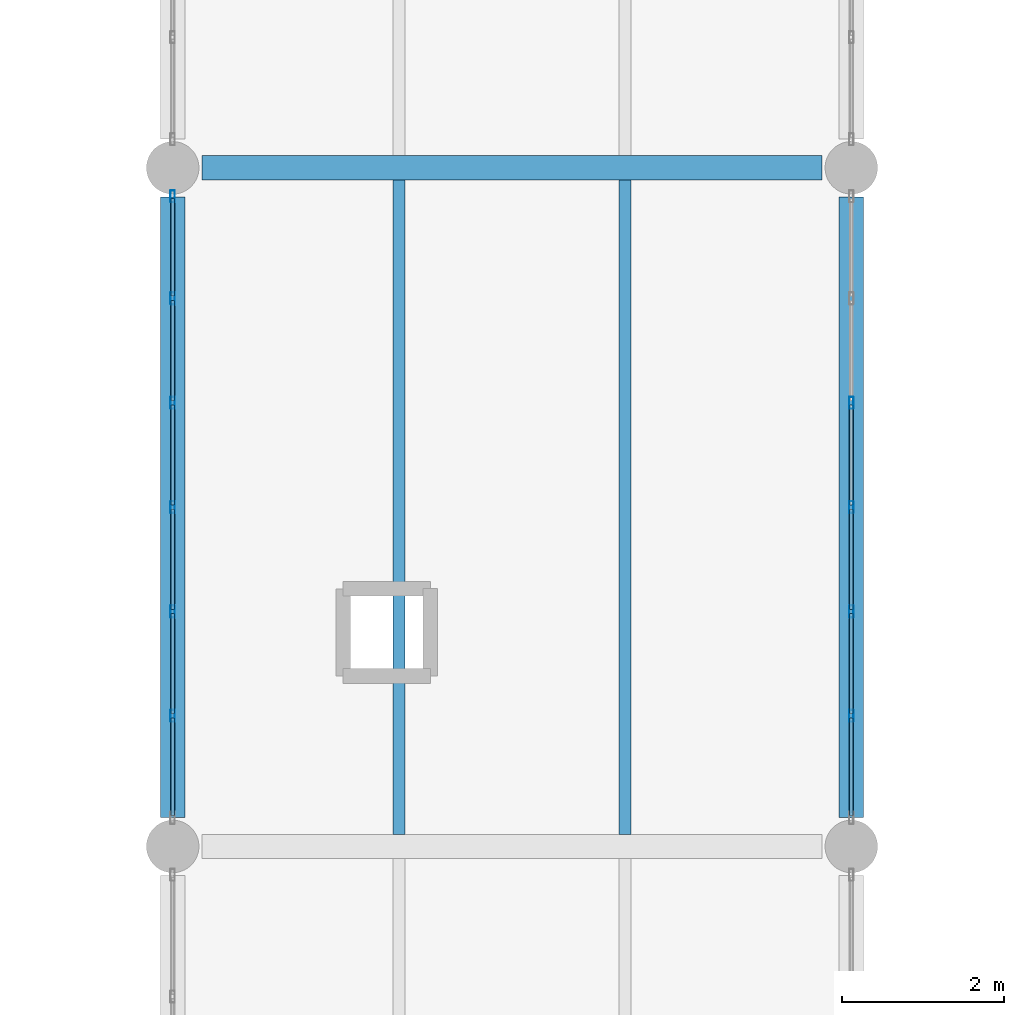
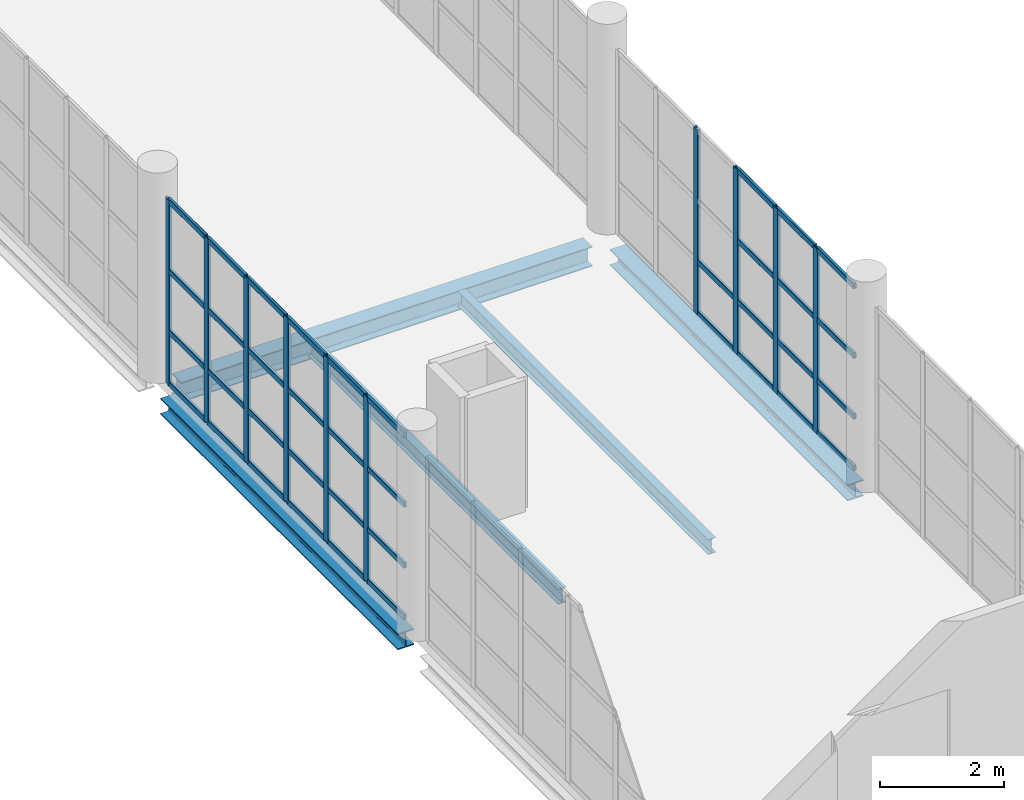
# One storey, part 36 of 177: 48 members, 5 beams, 2 elements without a shape of their own.
"""IFC4 building model written with IfcOpenShell, lengths in metres."""

from ifc_helpers import new_model, si_unit, direction, frame, origin, origin_2d, place, context, subcontext, project, spatial, hollow_rectangle, i_section, extrude, material, layer, layer_set, material_profile, profile_set, type_object, element, aggregate, save


model = new_model("IFC4")

# Units and contexts
model_context = context("Model", 3, precision=1e-05, world=origin(), true_north=direction((0.0, 1.0)))
body_context = subcontext(model_context, "Body", "Model", "MODEL_VIEW")
ifc_project = project(units=[si_unit("LENGTHUNIT", "METRE"), si_unit("AREAUNIT", "SQUARE_METRE"), si_unit("VOLUMEUNIT", "CUBIC_METRE"), si_unit("PLANEANGLEUNIT", "RADIAN"), si_unit("MASSUNIT", "GRAM", prefix="KILO"), si_unit("THERMODYNAMICTEMPERATUREUNIT", "KELVIN"), si_unit("POWERUNIT", "WATT")], contexts=[model_context])

# Site, building, storey
site_placement = place(None, origin())
site = spatial("IfcSite", under=ifc_project, at=site_placement, CompositionType="ELEMENT")
building_placement = place(site_placement, origin())
building = spatial("IfcBuilding", under=site, at=building_placement, Name="Mavoryth Pier Ferry Terminal", CompositionType="ELEMENT")
storey_placement = place(building_placement, frame((0.0, 0.0, 5.43994140625)))
storey = spatial("IfcBuildingStorey", under=building, at=storey_placement, Name="L01", CompositionType="ELEMENT", Elevation=5.43994140625)

# Beams
ifc_material_1 = material(Name="Steel S355J2", Category="steel")
ifc_material_profile_1 = material_profile(ifc_material_1, i_section(OverallWidth=0.300048828125, OverallDepth=0.389892578125, WebThickness=0.010986328125, FlangeThickness=0.01904296875, FilletRadius=0.027099609375, at=origin_2d()), Name="HEA 400", Category="steel")
ifc_profile_set_1 = profile_set([ifc_material_profile_1], Name="Steel S355J2 - HEA 400")
beam_type_1 = type_object("IfcBeamType", Name="Beam-Steel-HEA400", PredefinedType="BEAM", material=ifc_profile_set_1)
beam_placement = place(storey_placement, frame((50.760009765625, 55.60009765625, -0.43505859375), z_axis=(1.0, 0.0, 0.0), x_axis=(0.0, 1.0, 0.0)))
element("IfcBeam", 1, at=beam_placement, inside=storey, type_object=beam_type_1, Name="Beam B01-SB04-0161", PredefinedType="BEAM", context=body_context, shape_type="SweptSolid", body=[
    extrude(i_section(OverallWidth=0.300048828125, OverallDepth=0.389892578125, WebThickness=0.010986328125, FlangeThickness=0.01904296875, FilletRadius=0.027099609375, at=origin_2d()), origin(), (0.0, 0.0, 1.0), 7.679931640625),
])
ifc_material_profile_2 = material_profile(ifc_material_1, i_section(OverallWidth=0.14990234375, OverallDepth=0.300048828125, WebThickness=0.007080078125, FlangeThickness=0.0107421875, FilletRadius=0.014892578125, at=origin_2d()), Name="IPE 300", Category="steel")
ifc_profile_set_2 = profile_set([ifc_material_profile_2], Name="Steel S355J2 - IPE 300")
beam_type_2 = type_object("IfcBeamType", Name="Joist-Steel-IPE300", PredefinedType="JOIST", material=ifc_profile_set_2)
for number, where, z_axis, x_axis, name in (
    (2, (53.199951171875, 47.35009765625, -0.389892578125), (0.0, 1.0, 0.0), (-1.0, 0.0, 0.0), "Beam B01-SJ04-0174"),
    (3, (56.0, 47.35009765625, -0.389892578125), (0.0, 1.0, 0.0), (-1.0, 0.0, 0.0), "Beam B01-SJ04-0175"),
):
    element("IfcBeam", number, at=place(storey_placement, frame(where, z_axis=z_axis, x_axis=x_axis)), inside=storey, type_object=beam_type_2, Name=name, PredefinedType="JOIST", context=body_context, shape_type="SweptSolid", body=[
        extrude(i_section(OverallWidth=0.14990234375, OverallDepth=0.300048828125, WebThickness=0.007080078125, FlangeThickness=0.0107421875, FilletRadius=0.014892578125, at=origin_2d()), origin(), (0.0, 0.0, 1.0), 8.099853515625),
    ])

# Curtain wall, members
ifc_material_2 = material(Name="Anodised Aluminium and Solar-Control Low-E Glass", Category="aluminium")
ifc_layer = layer(ifc_material_2, 0.1201171875, Name="Anodised Aluminium and Solar-Control Low-E Glass", Category="aluminium")
ifc_layer_set = layer_set([ifc_layer], Name="Anodised Aluminium and Solar-Control Low-E Glass - CW-BridgeLink-Mod1400")
curtain_wall_type = type_object("IfcCurtainWallType", Name="CW-BridgeLink-Mod1400", PredefinedType="USERDEFINED", material=ifc_layer_set)
curtain_wall_1_placement = place(storey_placement, origin())
curtain_wall_1 = element("IfcCurtainWall", 4, at=curtain_wall_1_placement, inside=storey, type_object=curtain_wall_type, Name="Curtain Wall CW-0111-104", ObjectType="UNITISED CURTAIN WALL", PredefinedType="USERDEFINED")
ifc_material_3 = material(Name="Anodised Aluminium EN AW-6063", Category="aluminium")
ifc_material_profile_3 = material_profile(ifc_material_3, hollow_rectangle(XDim=0.054931640625, YDim=0.14990234375, WallThickness=0.00390625, InnerFilletRadius=0.00390625, OuterFilletRadius=0.008056640625, at=origin_2d()), Name="AL-MULL 150x55x4", Category="aluminium")
ifc_profile_set_3 = profile_set([ifc_material_profile_3], Name="Anodised Aluminium EN AW-6063 - AL-MULL 150x55x4")
member_type_1 = type_object("IfcMemberType", Name="Mullion-Alum-150x55", PredefinedType="MULLION", material=ifc_profile_set_3)
member_1_placement = place(storey_placement, frame((50.39990234375, 55.24755859375, 0.0), z_axis=(0.0, 0.0, 1.0), x_axis=(1.0, 0.0, 0.0)))
member_1 = element("IfcMember", 5, at=member_1_placement, type_object=member_type_1, Name="CW08 mullion 1", PredefinedType="MULLION", context=body_context, shape_type="SweptSolid", body=[
    extrude(hollow_rectangle(XDim=0.054931640625, YDim=0.14990234375, WallThickness=0.00390625, InnerFilletRadius=0.00390625, OuterFilletRadius=0.008056640625, at=origin_2d()), origin(), (0.0, 0.0, 1.0), 3.655029296875),
])
member_2_placement = place(storey_placement, frame((50.39990234375, 53.9833984375, 0.0), z_axis=(0.0, 0.0, 1.0), x_axis=(1.0, 0.0, 0.0)))
member_2 = element("IfcMember", 6, at=member_2_placement, type_object=member_type_1, Name="CW08 mullion 2", PredefinedType="MULLION", context=body_context, shape_type="SweptSolid", body=[
    extrude(hollow_rectangle(XDim=0.054931640625, YDim=0.14990234375, WallThickness=0.00390625, InnerFilletRadius=0.00390625, OuterFilletRadius=0.008056640625, at=origin_2d()), origin(), (0.0, 0.0, 1.0), 3.655029296875),
])
member_3_placement = place(storey_placement, frame((50.39990234375, 52.691650390625, 0.0), z_axis=(0.0, 0.0, 1.0), x_axis=(1.0, 0.0, 0.0)))
member_3 = element("IfcMember", 7, at=member_3_placement, type_object=member_type_1, Name="CW08 mullion 3", PredefinedType="MULLION", context=body_context, shape_type="SweptSolid", body=[
    extrude(hollow_rectangle(XDim=0.054931640625, YDim=0.14990234375, WallThickness=0.00390625, InnerFilletRadius=0.00390625, OuterFilletRadius=0.008056640625, at=origin_2d()), origin(), (0.0, 0.0, 1.0), 3.655029296875),
])
member_4_placement = place(storey_placement, frame((50.39990234375, 51.39990234375, 0.0), z_axis=(0.0, 0.0, 1.0), x_axis=(1.0, 0.0, 0.0)))
member_4 = element("IfcMember", 8, at=member_4_placement, type_object=member_type_1, Name="CW08 mullion 4", PredefinedType="MULLION", context=body_context, shape_type="SweptSolid", body=[
    extrude(hollow_rectangle(XDim=0.054931640625, YDim=0.14990234375, WallThickness=0.00390625, InnerFilletRadius=0.00390625, OuterFilletRadius=0.008056640625, at=origin_2d()), origin(), (0.0, 0.0, 1.0), 3.655029296875),
])
member_5_placement = place(storey_placement, frame((50.39990234375, 50.1083984375, 0.0), z_axis=(0.0, 0.0, 1.0), x_axis=(1.0, 0.0, 0.0)))
member_5 = element("IfcMember", 9, at=member_5_placement, type_object=member_type_1, Name="CW08 mullion 5", PredefinedType="MULLION", context=body_context, shape_type="SweptSolid", body=[
    extrude(hollow_rectangle(XDim=0.054931640625, YDim=0.14990234375, WallThickness=0.00390625, InnerFilletRadius=0.00390625, OuterFilletRadius=0.008056640625, at=origin_2d()), origin(), (0.0, 0.0, 1.0), 3.655029296875),
])
member_6_placement = place(storey_placement, frame((50.39990234375, 48.816650390625, 0.0), z_axis=(0.0, 0.0, 1.0), x_axis=(1.0, 0.0, 0.0)))
member_6 = element("IfcMember", 10, at=member_6_placement, type_object=member_type_1, Name="CW08 mullion 6", PredefinedType="MULLION", context=body_context, shape_type="SweptSolid", body=[
    extrude(hollow_rectangle(XDim=0.054931640625, YDim=0.14990234375, WallThickness=0.00390625, InnerFilletRadius=0.00390625, OuterFilletRadius=0.008056640625, at=origin_2d()), origin(), (0.0, 0.0, 1.0), 3.655029296875),
])

curtain_wall_2_placement = place(storey_placement, origin())
curtain_wall_2 = element("IfcCurtainWall", 11, at=curtain_wall_2_placement, inside=storey, type_object=curtain_wall_type, Name="Curtain Wall CW-0111-105", ObjectType="UNITISED CURTAIN WALL", PredefinedType="USERDEFINED")
member_7_placement = place(storey_placement, frame((58.800048828125, 48.816650390625, 0.0), z_axis=(0.0, 0.0, 1.0), x_axis=(-1.0, 0.0, 0.0)))
member_7 = element("IfcMember", 12, at=member_7_placement, type_object=member_type_1, Name="CW08 mullion 2", PredefinedType="MULLION", context=body_context, shape_type="SweptSolid", body=[
    extrude(hollow_rectangle(XDim=0.054931640625, YDim=0.14990234375, WallThickness=0.00390625, InnerFilletRadius=0.00390625, OuterFilletRadius=0.008056640625, at=origin_2d()), origin(), (0.0, 0.0, 1.0), 3.655029296875),
])
member_8_placement = place(storey_placement, frame((58.800048828125, 50.1083984375, 0.0), z_axis=(0.0, 0.0, 1.0), x_axis=(-1.0, 0.0, 0.0)))
member_8 = element("IfcMember", 13, at=member_8_placement, type_object=member_type_1, Name="CW08 mullion 3", PredefinedType="MULLION", context=body_context, shape_type="SweptSolid", body=[
    extrude(hollow_rectangle(XDim=0.054931640625, YDim=0.14990234375, WallThickness=0.00390625, InnerFilletRadius=0.00390625, OuterFilletRadius=0.008056640625, at=origin_2d()), origin(), (0.0, 0.0, 1.0), 3.655029296875),
])
member_9_placement = place(storey_placement, frame((58.800048828125, 51.39990234375, 0.0), z_axis=(0.0, 0.0, 1.0), x_axis=(-1.0, 0.0, 0.0)))
member_9 = element("IfcMember", 14, at=member_9_placement, type_object=member_type_1, Name="CW08 mullion 4", PredefinedType="MULLION", context=body_context, shape_type="SweptSolid", body=[
    extrude(hollow_rectangle(XDim=0.054931640625, YDim=0.14990234375, WallThickness=0.00390625, InnerFilletRadius=0.00390625, OuterFilletRadius=0.008056640625, at=origin_2d()), origin(), (0.0, 0.0, 1.0), 3.655029296875),
])
member_10_placement = place(storey_placement, frame((58.800048828125, 52.691650390625, 0.0), z_axis=(0.0, 0.0, 1.0), x_axis=(-1.0, 0.0, 0.0)))
member_10 = element("IfcMember", 15, at=member_10_placement, type_object=member_type_1, Name="CW08 mullion 5", PredefinedType="MULLION", context=body_context, shape_type="SweptSolid", body=[
    extrude(hollow_rectangle(XDim=0.054931640625, YDim=0.14990234375, WallThickness=0.00390625, InnerFilletRadius=0.00390625, OuterFilletRadius=0.008056640625, at=origin_2d()), origin(), (0.0, 0.0, 1.0), 3.655029296875),
])

# Beams
ifc_material_profile_4 = material_profile(ifc_material_1, i_section(OverallWidth=0.300048828125, OverallDepth=0.320068359375, WebThickness=0.011474609375, FlangeThickness=0.0205078125, FilletRadius=0.027099609375, at=origin_2d()), Name="HEB 320", Category="steel")
ifc_profile_set_4 = profile_set([ifc_material_profile_4], Name="Steel S355J2 - HEB 320")
beam_type_3 = type_object("IfcBeamType", Name="Spandrel-Steel-HEB320", PredefinedType="SPANDREL", material=ifc_profile_set_4)
for number, where, z_axis, x_axis, name in (
    (16, (50.39990234375, 47.56005859375, -0.39990234375), (0.0, 1.0, 0.0), (-1.0, 0.0, 0.0), "Beam B01-SP04-0165"),
    (17, (58.800048828125, 47.56005859375, -0.39990234375), (0.0, 1.0, 0.0), (-1.0, 0.0, 0.0), "Beam B01-SP04-0169"),
):
    element("IfcBeam", number, at=place(storey_placement, frame(where, z_axis=z_axis, x_axis=x_axis)), inside=storey, type_object=beam_type_3, Name=name, PredefinedType="SPANDREL", context=body_context, shape_type="SweptSolid", body=[
        extrude(i_section(OverallWidth=0.300048828125, OverallDepth=0.320068359375, WebThickness=0.011474609375, FlangeThickness=0.0205078125, FilletRadius=0.027099609375, at=origin_2d()), origin(), (0.0, 0.0, 1.0), 7.679931640625),
    ])

# Member
ifc_material_profile_5 = material_profile(ifc_material_3, hollow_rectangle(XDim=0.054931640625, YDim=0.110107421875, WallThickness=0.00390625, InnerFilletRadius=0.00390625, OuterFilletRadius=0.008056640625, at=origin_2d()), Name="AL-TRAN 110x55x4", Category="aluminium")
ifc_profile_set_5 = profile_set([ifc_material_profile_5], Name="Anodised Aluminium EN AW-6063 - AL-TRAN 110x55x4")
member_type_2 = type_object("IfcMemberType", Name="Transom-Alum-110x55", PredefinedType="USERDEFINED", material=ifc_profile_set_5)
member_11_placement = place(storey_placement, frame((50.39990234375, 55.219970703125, 0.027587890625), z_axis=(0.0, -1.0, 0.0), x_axis=(1.0, 0.0, 0.0)))
member_11 = element("IfcMember", 18, at=member_11_placement, type_object=member_type_2, Name="CW08 transom 1.1", ObjectType="TRANSOM", PredefinedType="USERDEFINED", context=body_context, shape_type="SweptSolid", body=[
    extrude(hollow_rectangle(XDim=0.054931640625, YDim=0.110107421875, WallThickness=0.00390625, InnerFilletRadius=0.00390625, OuterFilletRadius=0.008056640625, at=origin_2d()), origin(), (0.0, 0.0, 1.0), 1.209228515625),
])

member_12_placement = place(storey_placement, frame((50.39990234375, 55.219970703125, 1.050048828125), z_axis=(0.0, -1.0, 0.0), x_axis=(1.0, 0.0, 0.0)))
member_12 = element("IfcMember", 19, at=member_12_placement, type_object=member_type_2, Name="CW08 transom 1.2", ObjectType="TRANSOM", PredefinedType="USERDEFINED", context=body_context, shape_type="SweptSolid", body=[
    extrude(hollow_rectangle(XDim=0.054931640625, YDim=0.110107421875, WallThickness=0.00390625, InnerFilletRadius=0.00390625, OuterFilletRadius=0.008056640625, at=origin_2d()), origin(), (0.0, 0.0, 1.0), 1.209228515625),
])

member_13_placement = place(storey_placement, frame((50.39990234375, 55.219970703125, 2.25), z_axis=(0.0, -1.0, 0.0), x_axis=(1.0, 0.0, 0.0)))
member_13 = element("IfcMember", 20, at=member_13_placement, type_object=member_type_2, Name="CW08 transom 1.3", ObjectType="TRANSOM", PredefinedType="USERDEFINED", context=body_context, shape_type="SweptSolid", body=[
    extrude(hollow_rectangle(XDim=0.054931640625, YDim=0.110107421875, WallThickness=0.00390625, InnerFilletRadius=0.00390625, OuterFilletRadius=0.008056640625, at=origin_2d()), origin(), (0.0, 0.0, 1.0), 1.209228515625),
])

member_14_placement = place(storey_placement, frame((50.39990234375, 55.219970703125, 3.62744140625), z_axis=(0.0, -1.0, 0.0), x_axis=(1.0, 0.0, 0.0)))
member_14 = element("IfcMember", 21, at=member_14_placement, type_object=member_type_2, Name="CW08 transom 1.4", ObjectType="TRANSOM", PredefinedType="USERDEFINED", context=body_context, shape_type="SweptSolid", body=[
    extrude(hollow_rectangle(XDim=0.054931640625, YDim=0.110107421875, WallThickness=0.00390625, InnerFilletRadius=0.00390625, OuterFilletRadius=0.008056640625, at=origin_2d()), origin(), (0.0, 0.0, 1.0), 1.209228515625),
])

member_15_placement = place(storey_placement, frame((50.39990234375, 53.955810546875, 0.027587890625), z_axis=(0.0, -1.0, 0.0), x_axis=(1.0, 0.0, 0.0)))
member_15 = element("IfcMember", 22, at=member_15_placement, type_object=member_type_2, Name="CW08 transom 2.1", ObjectType="TRANSOM", PredefinedType="USERDEFINED", context=body_context, shape_type="SweptSolid", body=[
    extrude(hollow_rectangle(XDim=0.054931640625, YDim=0.110107421875, WallThickness=0.00390625, InnerFilletRadius=0.00390625, OuterFilletRadius=0.008056640625, at=origin_2d()), origin(), (0.0, 0.0, 1.0), 1.236572265625),
])

member_16_placement = place(storey_placement, frame((50.39990234375, 53.955810546875, 1.050048828125), z_axis=(0.0, -1.0, 0.0), x_axis=(1.0, 0.0, 0.0)))
member_16 = element("IfcMember", 23, at=member_16_placement, type_object=member_type_2, Name="CW08 transom 2.2", ObjectType="TRANSOM", PredefinedType="USERDEFINED", context=body_context, shape_type="SweptSolid", body=[
    extrude(hollow_rectangle(XDim=0.054931640625, YDim=0.110107421875, WallThickness=0.00390625, InnerFilletRadius=0.00390625, OuterFilletRadius=0.008056640625, at=origin_2d()), origin(), (0.0, 0.0, 1.0), 1.236572265625),
])

member_17_placement = place(storey_placement, frame((50.39990234375, 53.955810546875, 2.25), z_axis=(0.0, -1.0, 0.0), x_axis=(1.0, 0.0, 0.0)))
member_17 = element("IfcMember", 24, at=member_17_placement, type_object=member_type_2, Name="CW08 transom 2.3", ObjectType="TRANSOM", PredefinedType="USERDEFINED", context=body_context, shape_type="SweptSolid", body=[
    extrude(hollow_rectangle(XDim=0.054931640625, YDim=0.110107421875, WallThickness=0.00390625, InnerFilletRadius=0.00390625, OuterFilletRadius=0.008056640625, at=origin_2d()), origin(), (0.0, 0.0, 1.0), 1.236572265625),
])

member_18_placement = place(storey_placement, frame((50.39990234375, 53.955810546875, 3.62744140625), z_axis=(0.0, -1.0, 0.0), x_axis=(1.0, 0.0, 0.0)))
member_18 = element("IfcMember", 25, at=member_18_placement, type_object=member_type_2, Name="CW08 transom 2.4", ObjectType="TRANSOM", PredefinedType="USERDEFINED", context=body_context, shape_type="SweptSolid", body=[
    extrude(hollow_rectangle(XDim=0.054931640625, YDim=0.110107421875, WallThickness=0.00390625, InnerFilletRadius=0.00390625, OuterFilletRadius=0.008056640625, at=origin_2d()), origin(), (0.0, 0.0, 1.0), 1.236572265625),
])

member_19_placement = place(storey_placement, frame((50.39990234375, 52.6640625, 0.027587890625), z_axis=(0.0, -1.0, 0.0), x_axis=(1.0, 0.0, 0.0)))
member_19 = element("IfcMember", 26, at=member_19_placement, type_object=member_type_2, Name="CW08 transom 3.1", ObjectType="TRANSOM", PredefinedType="USERDEFINED", context=body_context, shape_type="SweptSolid", body=[
    extrude(hollow_rectangle(XDim=0.054931640625, YDim=0.110107421875, WallThickness=0.00390625, InnerFilletRadius=0.00390625, OuterFilletRadius=0.008056640625, at=origin_2d()), origin(), (0.0, 0.0, 1.0), 1.236572265625),
])

member_20_placement = place(storey_placement, frame((50.39990234375, 52.6640625, 1.050048828125), z_axis=(0.0, -1.0, 0.0), x_axis=(1.0, 0.0, 0.0)))
member_20 = element("IfcMember", 27, at=member_20_placement, type_object=member_type_2, Name="CW08 transom 3.2", ObjectType="TRANSOM", PredefinedType="USERDEFINED", context=body_context, shape_type="SweptSolid", body=[
    extrude(hollow_rectangle(XDim=0.054931640625, YDim=0.110107421875, WallThickness=0.00390625, InnerFilletRadius=0.00390625, OuterFilletRadius=0.008056640625, at=origin_2d()), origin(), (0.0, 0.0, 1.0), 1.236572265625),
])

member_21_placement = place(storey_placement, frame((50.39990234375, 52.6640625, 2.25), z_axis=(0.0, -1.0, 0.0), x_axis=(1.0, 0.0, 0.0)))
member_21 = element("IfcMember", 28, at=member_21_placement, type_object=member_type_2, Name="CW08 transom 3.3", ObjectType="TRANSOM", PredefinedType="USERDEFINED", context=body_context, shape_type="SweptSolid", body=[
    extrude(hollow_rectangle(XDim=0.054931640625, YDim=0.110107421875, WallThickness=0.00390625, InnerFilletRadius=0.00390625, OuterFilletRadius=0.008056640625, at=origin_2d()), origin(), (0.0, 0.0, 1.0), 1.236572265625),
])

member_22_placement = place(storey_placement, frame((50.39990234375, 52.6640625, 3.62744140625), z_axis=(0.0, -1.0, 0.0), x_axis=(1.0, 0.0, 0.0)))
member_22 = element("IfcMember", 29, at=member_22_placement, type_object=member_type_2, Name="CW08 transom 3.4", ObjectType="TRANSOM", PredefinedType="USERDEFINED", context=body_context, shape_type="SweptSolid", body=[
    extrude(hollow_rectangle(XDim=0.054931640625, YDim=0.110107421875, WallThickness=0.00390625, InnerFilletRadius=0.00390625, OuterFilletRadius=0.008056640625, at=origin_2d()), origin(), (0.0, 0.0, 1.0), 1.236572265625),
])

member_23_placement = place(storey_placement, frame((50.39990234375, 51.37255859375, 0.027587890625), z_axis=(0.0, -1.0, 0.0), x_axis=(1.0, 0.0, 0.0)))
member_23 = element("IfcMember", 30, at=member_23_placement, type_object=member_type_2, Name="CW08 transom 4.1", ObjectType="TRANSOM", PredefinedType="USERDEFINED", context=body_context, shape_type="SweptSolid", body=[
    extrude(hollow_rectangle(XDim=0.054931640625, YDim=0.110107421875, WallThickness=0.00390625, InnerFilletRadius=0.00390625, OuterFilletRadius=0.008056640625, at=origin_2d()), origin(), (0.0, 0.0, 1.0), 1.23681640625),
])

member_24_placement = place(storey_placement, frame((50.39990234375, 51.37255859375, 1.050048828125), z_axis=(0.0, -1.0, 0.0), x_axis=(1.0, 0.0, 0.0)))
member_24 = element("IfcMember", 31, at=member_24_placement, type_object=member_type_2, Name="CW08 transom 4.2", ObjectType="TRANSOM", PredefinedType="USERDEFINED", context=body_context, shape_type="SweptSolid", body=[
    extrude(hollow_rectangle(XDim=0.054931640625, YDim=0.110107421875, WallThickness=0.00390625, InnerFilletRadius=0.00390625, OuterFilletRadius=0.008056640625, at=origin_2d()), origin(), (0.0, 0.0, 1.0), 1.23681640625),
])

member_25_placement = place(storey_placement, frame((50.39990234375, 51.37255859375, 2.25), z_axis=(0.0, -1.0, 0.0), x_axis=(1.0, 0.0, 0.0)))
member_25 = element("IfcMember", 32, at=member_25_placement, type_object=member_type_2, Name="CW08 transom 4.3", ObjectType="TRANSOM", PredefinedType="USERDEFINED", context=body_context, shape_type="SweptSolid", body=[
    extrude(hollow_rectangle(XDim=0.054931640625, YDim=0.110107421875, WallThickness=0.00390625, InnerFilletRadius=0.00390625, OuterFilletRadius=0.008056640625, at=origin_2d()), origin(), (0.0, 0.0, 1.0), 1.23681640625),
])

member_26_placement = place(storey_placement, frame((50.39990234375, 51.37255859375, 3.62744140625), z_axis=(0.0, -1.0, 0.0), x_axis=(1.0, 0.0, 0.0)))
member_26 = element("IfcMember", 33, at=member_26_placement, type_object=member_type_2, Name="CW08 transom 4.4", ObjectType="TRANSOM", PredefinedType="USERDEFINED", context=body_context, shape_type="SweptSolid", body=[
    extrude(hollow_rectangle(XDim=0.054931640625, YDim=0.110107421875, WallThickness=0.00390625, InnerFilletRadius=0.00390625, OuterFilletRadius=0.008056640625, at=origin_2d()), origin(), (0.0, 0.0, 1.0), 1.23681640625),
])

member_27_placement = place(storey_placement, frame((50.39990234375, 50.080810546875, 0.027587890625), z_axis=(0.0, -1.0, 0.0), x_axis=(1.0, 0.0, 0.0)))
member_27 = element("IfcMember", 34, at=member_27_placement, type_object=member_type_2, Name="CW08 transom 5.1", ObjectType="TRANSOM", PredefinedType="USERDEFINED", context=body_context, shape_type="SweptSolid", body=[
    extrude(hollow_rectangle(XDim=0.054931640625, YDim=0.110107421875, WallThickness=0.00390625, InnerFilletRadius=0.00390625, OuterFilletRadius=0.008056640625, at=origin_2d()), origin(), (0.0, 0.0, 1.0), 1.236572265625),
])

member_28_placement = place(storey_placement, frame((50.39990234375, 50.080810546875, 1.050048828125), z_axis=(0.0, -1.0, 0.0), x_axis=(1.0, 0.0, 0.0)))
member_28 = element("IfcMember", 35, at=member_28_placement, type_object=member_type_2, Name="CW08 transom 5.2", ObjectType="TRANSOM", PredefinedType="USERDEFINED", context=body_context, shape_type="SweptSolid", body=[
    extrude(hollow_rectangle(XDim=0.054931640625, YDim=0.110107421875, WallThickness=0.00390625, InnerFilletRadius=0.00390625, OuterFilletRadius=0.008056640625, at=origin_2d()), origin(), (0.0, 0.0, 1.0), 1.236572265625),
])

member_29_placement = place(storey_placement, frame((50.39990234375, 50.080810546875, 2.25), z_axis=(0.0, -1.0, 0.0), x_axis=(1.0, 0.0, 0.0)))
member_29 = element("IfcMember", 36, at=member_29_placement, type_object=member_type_2, Name="CW08 transom 5.3", ObjectType="TRANSOM", PredefinedType="USERDEFINED", context=body_context, shape_type="SweptSolid", body=[
    extrude(hollow_rectangle(XDim=0.054931640625, YDim=0.110107421875, WallThickness=0.00390625, InnerFilletRadius=0.00390625, OuterFilletRadius=0.008056640625, at=origin_2d()), origin(), (0.0, 0.0, 1.0), 1.236572265625),
])

member_30_placement = place(storey_placement, frame((50.39990234375, 50.080810546875, 3.62744140625), z_axis=(0.0, -1.0, 0.0), x_axis=(1.0, 0.0, 0.0)))
member_30 = element("IfcMember", 37, at=member_30_placement, type_object=member_type_2, Name="CW08 transom 5.4", ObjectType="TRANSOM", PredefinedType="USERDEFINED", context=body_context, shape_type="SweptSolid", body=[
    extrude(hollow_rectangle(XDim=0.054931640625, YDim=0.110107421875, WallThickness=0.00390625, InnerFilletRadius=0.00390625, OuterFilletRadius=0.008056640625, at=origin_2d()), origin(), (0.0, 0.0, 1.0), 1.236572265625),
])

member_31_placement = place(storey_placement, frame((50.39990234375, 48.7890625, 0.027587890625), z_axis=(0.0, -1.0, 0.0), x_axis=(1.0, 0.0, 0.0)))
member_31 = element("IfcMember", 38, at=member_31_placement, type_object=member_type_2, Name="CW08 transom 6.1", ObjectType="TRANSOM", PredefinedType="USERDEFINED", context=body_context, shape_type="SweptSolid", body=[
    extrude(hollow_rectangle(XDim=0.054931640625, YDim=0.110107421875, WallThickness=0.00390625, InnerFilletRadius=0.00390625, OuterFilletRadius=0.008056640625, at=origin_2d()), origin(), (0.0, 0.0, 1.0), 1.208984375),
])

member_32_placement = place(storey_placement, frame((50.39990234375, 48.7890625, 1.050048828125), z_axis=(0.0, -1.0, 0.0), x_axis=(1.0, 0.0, 0.0)))
member_32 = element("IfcMember", 39, at=member_32_placement, type_object=member_type_2, Name="CW08 transom 6.2", ObjectType="TRANSOM", PredefinedType="USERDEFINED", context=body_context, shape_type="SweptSolid", body=[
    extrude(hollow_rectangle(XDim=0.054931640625, YDim=0.110107421875, WallThickness=0.00390625, InnerFilletRadius=0.00390625, OuterFilletRadius=0.008056640625, at=origin_2d()), origin(), (0.0, 0.0, 1.0), 1.208984375),
])

member_33_placement = place(storey_placement, frame((50.39990234375, 48.7890625, 2.25), z_axis=(0.0, -1.0, 0.0), x_axis=(1.0, 0.0, 0.0)))
member_33 = element("IfcMember", 40, at=member_33_placement, type_object=member_type_2, Name="CW08 transom 6.3", ObjectType="TRANSOM", PredefinedType="USERDEFINED", context=body_context, shape_type="SweptSolid", body=[
    extrude(hollow_rectangle(XDim=0.054931640625, YDim=0.110107421875, WallThickness=0.00390625, InnerFilletRadius=0.00390625, OuterFilletRadius=0.008056640625, at=origin_2d()), origin(), (0.0, 0.0, 1.0), 1.208984375),
])

member_34_placement = place(storey_placement, frame((50.39990234375, 48.7890625, 3.62744140625), z_axis=(0.0, -1.0, 0.0), x_axis=(1.0, 0.0, 0.0)))
member_34 = element("IfcMember", 41, at=member_34_placement, type_object=member_type_2, Name="CW08 transom 6.4", ObjectType="TRANSOM", PredefinedType="USERDEFINED", context=body_context, shape_type="SweptSolid", body=[
    extrude(hollow_rectangle(XDim=0.054931640625, YDim=0.110107421875, WallThickness=0.00390625, InnerFilletRadius=0.00390625, OuterFilletRadius=0.008056640625, at=origin_2d()), origin(), (0.0, 0.0, 1.0), 1.208984375),
])

aggregate(curtain_wall_1, [member_1, member_2, member_3, member_4, member_5, member_6, member_11, member_12, member_13, member_14, member_15, member_16, member_17, member_18, member_19, member_20, member_21, member_22, member_23, member_24, member_25, member_26, member_27, member_28, member_29, member_30, member_31, member_32, member_33, member_34])

member_35_placement = place(storey_placement, frame((58.800048828125, 47.580078125, 0.027587890625), z_axis=(0.0, 1.0, 0.0), x_axis=(-1.0, 0.0, 0.0)))
member_35 = element("IfcMember", 42, at=member_35_placement, type_object=member_type_2, Name="CW08 transom 1.1", ObjectType="TRANSOM", PredefinedType="USERDEFINED", context=body_context, shape_type="SweptSolid", body=[
    extrude(hollow_rectangle(XDim=0.054931640625, YDim=0.110107421875, WallThickness=0.00390625, InnerFilletRadius=0.00390625, OuterFilletRadius=0.008056640625, at=origin_2d()), origin(), (0.0, 0.0, 1.0), 1.208984375),
])

member_36_placement = place(storey_placement, frame((58.800048828125, 47.580078125, 1.050048828125), z_axis=(0.0, 1.0, 0.0), x_axis=(-1.0, 0.0, 0.0)))
member_36 = element("IfcMember", 43, at=member_36_placement, type_object=member_type_2, Name="CW08 transom 1.2", ObjectType="TRANSOM", PredefinedType="USERDEFINED", context=body_context, shape_type="SweptSolid", body=[
    extrude(hollow_rectangle(XDim=0.054931640625, YDim=0.110107421875, WallThickness=0.00390625, InnerFilletRadius=0.00390625, OuterFilletRadius=0.008056640625, at=origin_2d()), origin(), (0.0, 0.0, 1.0), 1.208984375),
])

member_37_placement = place(storey_placement, frame((58.800048828125, 47.580078125, 2.25), z_axis=(0.0, 1.0, 0.0), x_axis=(-1.0, 0.0, 0.0)))
member_37 = element("IfcMember", 44, at=member_37_placement, type_object=member_type_2, Name="CW08 transom 1.3", ObjectType="TRANSOM", PredefinedType="USERDEFINED", context=body_context, shape_type="SweptSolid", body=[
    extrude(hollow_rectangle(XDim=0.054931640625, YDim=0.110107421875, WallThickness=0.00390625, InnerFilletRadius=0.00390625, OuterFilletRadius=0.008056640625, at=origin_2d()), origin(), (0.0, 0.0, 1.0), 1.208984375),
])

member_38_placement = place(storey_placement, frame((58.800048828125, 47.580078125, 3.62744140625), z_axis=(0.0, 1.0, 0.0), x_axis=(-1.0, 0.0, 0.0)))
member_38 = element("IfcMember", 45, at=member_38_placement, type_object=member_type_2, Name="CW08 transom 1.4", ObjectType="TRANSOM", PredefinedType="USERDEFINED", context=body_context, shape_type="SweptSolid", body=[
    extrude(hollow_rectangle(XDim=0.054931640625, YDim=0.110107421875, WallThickness=0.00390625, InnerFilletRadius=0.00390625, OuterFilletRadius=0.008056640625, at=origin_2d()), origin(), (0.0, 0.0, 1.0), 1.208984375),
])

member_39_placement = place(storey_placement, frame((58.800048828125, 48.84423828125, 0.027587890625), z_axis=(0.0, 1.0, 0.0), x_axis=(-1.0, 0.0, 0.0)))
member_39 = element("IfcMember", 46, at=member_39_placement, type_object=member_type_2, Name="CW08 transom 2.1", ObjectType="TRANSOM", PredefinedType="USERDEFINED", context=body_context, shape_type="SweptSolid", body=[
    extrude(hollow_rectangle(XDim=0.054931640625, YDim=0.110107421875, WallThickness=0.00390625, InnerFilletRadius=0.00390625, OuterFilletRadius=0.008056640625, at=origin_2d()), origin(), (0.0, 0.0, 1.0), 1.236572265625),
])

member_40_placement = place(storey_placement, frame((58.800048828125, 48.84423828125, 1.050048828125), z_axis=(0.0, 1.0, 0.0), x_axis=(-1.0, 0.0, 0.0)))
member_40 = element("IfcMember", 47, at=member_40_placement, type_object=member_type_2, Name="CW08 transom 2.2", ObjectType="TRANSOM", PredefinedType="USERDEFINED", context=body_context, shape_type="SweptSolid", body=[
    extrude(hollow_rectangle(XDim=0.054931640625, YDim=0.110107421875, WallThickness=0.00390625, InnerFilletRadius=0.00390625, OuterFilletRadius=0.008056640625, at=origin_2d()), origin(), (0.0, 0.0, 1.0), 1.236572265625),
])

member_41_placement = place(storey_placement, frame((58.800048828125, 48.84423828125, 2.25), z_axis=(0.0, 1.0, 0.0), x_axis=(-1.0, 0.0, 0.0)))
member_41 = element("IfcMember", 48, at=member_41_placement, type_object=member_type_2, Name="CW08 transom 2.3", ObjectType="TRANSOM", PredefinedType="USERDEFINED", context=body_context, shape_type="SweptSolid", body=[
    extrude(hollow_rectangle(XDim=0.054931640625, YDim=0.110107421875, WallThickness=0.00390625, InnerFilletRadius=0.00390625, OuterFilletRadius=0.008056640625, at=origin_2d()), origin(), (0.0, 0.0, 1.0), 1.236572265625),
])

member_42_placement = place(storey_placement, frame((58.800048828125, 48.84423828125, 3.62744140625), z_axis=(0.0, 1.0, 0.0), x_axis=(-1.0, 0.0, 0.0)))
member_42 = element("IfcMember", 49, at=member_42_placement, type_object=member_type_2, Name="CW08 transom 2.4", ObjectType="TRANSOM", PredefinedType="USERDEFINED", context=body_context, shape_type="SweptSolid", body=[
    extrude(hollow_rectangle(XDim=0.054931640625, YDim=0.110107421875, WallThickness=0.00390625, InnerFilletRadius=0.00390625, OuterFilletRadius=0.008056640625, at=origin_2d()), origin(), (0.0, 0.0, 1.0), 1.236572265625),
])

member_43_placement = place(storey_placement, frame((58.800048828125, 50.1357421875, 0.027587890625), z_axis=(0.0, 1.0, 0.0), x_axis=(-1.0, 0.0, 0.0)))
member_43 = element("IfcMember", 50, at=member_43_placement, type_object=member_type_2, Name="CW08 transom 3.1", ObjectType="TRANSOM", PredefinedType="USERDEFINED", context=body_context, shape_type="SweptSolid", body=[
    extrude(hollow_rectangle(XDim=0.054931640625, YDim=0.110107421875, WallThickness=0.00390625, InnerFilletRadius=0.00390625, OuterFilletRadius=0.008056640625, at=origin_2d()), origin(), (0.0, 0.0, 1.0), 1.23681640625),
])

member_44_placement = place(storey_placement, frame((58.800048828125, 50.1357421875, 1.050048828125), z_axis=(0.0, 1.0, 0.0), x_axis=(-1.0, 0.0, 0.0)))
member_44 = element("IfcMember", 51, at=member_44_placement, type_object=member_type_2, Name="CW08 transom 3.2", ObjectType="TRANSOM", PredefinedType="USERDEFINED", context=body_context, shape_type="SweptSolid", body=[
    extrude(hollow_rectangle(XDim=0.054931640625, YDim=0.110107421875, WallThickness=0.00390625, InnerFilletRadius=0.00390625, OuterFilletRadius=0.008056640625, at=origin_2d()), origin(), (0.0, 0.0, 1.0), 1.23681640625),
])

member_45_placement = place(storey_placement, frame((58.800048828125, 50.1357421875, 2.25), z_axis=(0.0, 1.0, 0.0), x_axis=(-1.0, 0.0, 0.0)))
member_45 = element("IfcMember", 52, at=member_45_placement, type_object=member_type_2, Name="CW08 transom 3.3", ObjectType="TRANSOM", PredefinedType="USERDEFINED", context=body_context, shape_type="SweptSolid", body=[
    extrude(hollow_rectangle(XDim=0.054931640625, YDim=0.110107421875, WallThickness=0.00390625, InnerFilletRadius=0.00390625, OuterFilletRadius=0.008056640625, at=origin_2d()), origin(), (0.0, 0.0, 1.0), 1.23681640625),
])

member_46_placement = place(storey_placement, frame((58.800048828125, 50.1357421875, 3.62744140625), z_axis=(0.0, 1.0, 0.0), x_axis=(-1.0, 0.0, 0.0)))
member_46 = element("IfcMember", 53, at=member_46_placement, type_object=member_type_2, Name="CW08 transom 3.4", ObjectType="TRANSOM", PredefinedType="USERDEFINED", context=body_context, shape_type="SweptSolid", body=[
    extrude(hollow_rectangle(XDim=0.054931640625, YDim=0.110107421875, WallThickness=0.00390625, InnerFilletRadius=0.00390625, OuterFilletRadius=0.008056640625, at=origin_2d()), origin(), (0.0, 0.0, 1.0), 1.23681640625),
])

member_47_placement = place(storey_placement, frame((58.800048828125, 51.427490234375, 0.027587890625), z_axis=(0.0, 1.0, 0.0), x_axis=(-1.0, 0.0, 0.0)))
member_47 = element("IfcMember", 54, at=member_47_placement, type_object=member_type_2, Name="CW08 transom 4.1", ObjectType="TRANSOM", PredefinedType="USERDEFINED", context=body_context, shape_type="SweptSolid", body=[
    extrude(hollow_rectangle(XDim=0.054931640625, YDim=0.110107421875, WallThickness=0.00390625, InnerFilletRadius=0.00390625, OuterFilletRadius=0.008056640625, at=origin_2d()), origin(), (0.0, 0.0, 1.0), 1.236572265625),
])

member_48_placement = place(storey_placement, frame((58.800048828125, 51.427490234375, 1.050048828125), z_axis=(0.0, 1.0, 0.0), x_axis=(-1.0, 0.0, 0.0)))
member_48 = element("IfcMember", 55, at=member_48_placement, type_object=member_type_2, Name="CW08 transom 4.2", ObjectType="TRANSOM", PredefinedType="USERDEFINED", context=body_context, shape_type="SweptSolid", body=[
    extrude(hollow_rectangle(XDim=0.054931640625, YDim=0.110107421875, WallThickness=0.00390625, InnerFilletRadius=0.00390625, OuterFilletRadius=0.008056640625, at=origin_2d()), origin(), (0.0, 0.0, 1.0), 1.236572265625),
])

aggregate(curtain_wall_2, [member_7, member_8, member_9, member_10, member_35, member_36, member_37, member_38, member_39, member_40, member_41, member_42, member_43, member_44, member_45, member_46, member_47, member_48])

save(model, "model.ifc")
